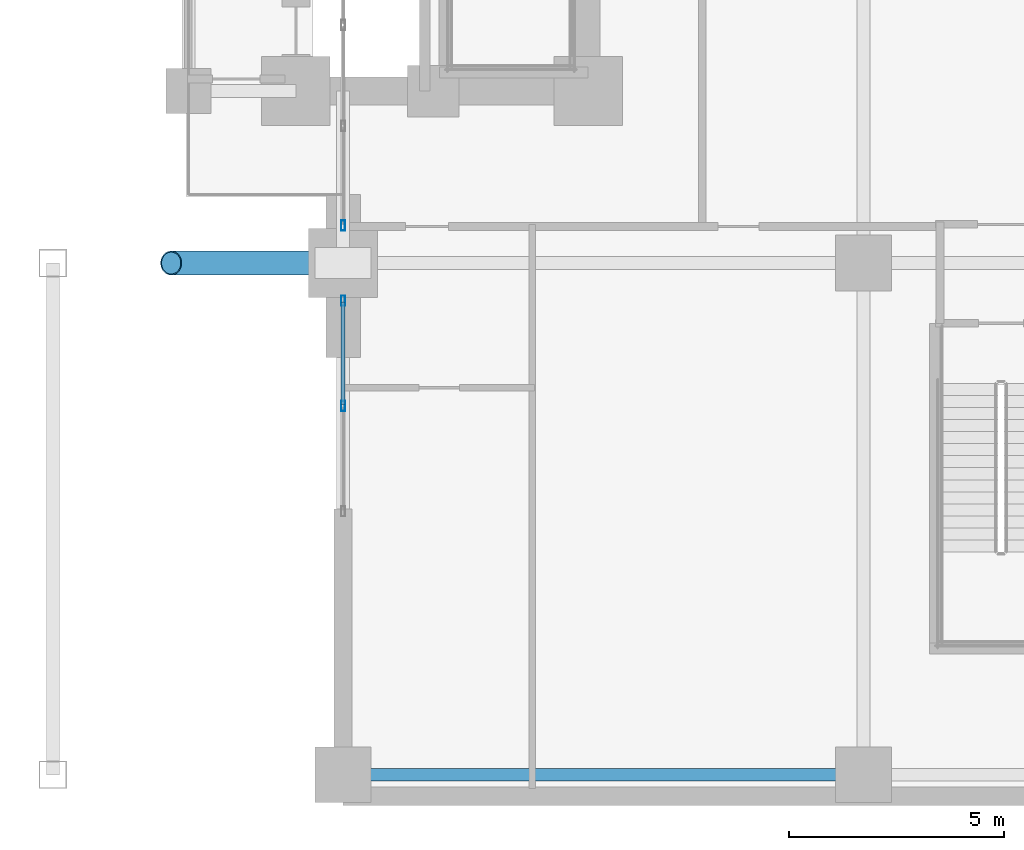
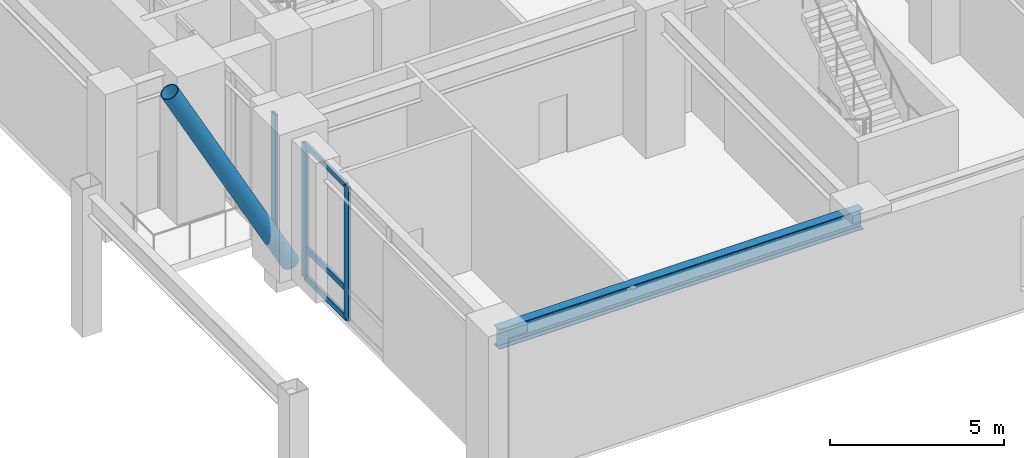
# One storey, part 7 of 27: 7 members, 1 beam, 2 elements without a shape of their own.
"""IFC4 building model written with IfcOpenShell, lengths in metres."""

from ifc_helpers import new_model, si_unit, direction, frame, origin, origin_2d, place, context, subcontext, project, spatial, hollow_rectangle, hollow_circle, i_section, extrude, material, layer, layer_set, material_profile, profile_set, type_object, element, aggregate, save


model = new_model("IFC4")

# Units and contexts
model_context = context("Model", 3, precision=1e-05, world=origin(), true_north=direction((0.0, 1.0)))
body_context = subcontext(model_context, "Body", "Model", "MODEL_VIEW")
ifc_project = project(units=[si_unit("LENGTHUNIT", "METRE"), si_unit("AREAUNIT", "SQUARE_METRE"), si_unit("VOLUMEUNIT", "CUBIC_METRE"), si_unit("PLANEANGLEUNIT", "RADIAN"), si_unit("MASSUNIT", "GRAM", prefix="KILO")], contexts=[model_context])

# Site, building, storey
site_placement = place(None, origin())
site = spatial("IfcSite", under=ifc_project, at=site_placement, CompositionType="ELEMENT")
building_placement = place(site_placement, origin())
building = spatial("IfcBuilding", under=site, at=building_placement, Name="Voryun Gate Residences", CompositionType="ELEMENT")
storey_placement = place(building_placement, frame((0.0, 0.0, 5.199951171875)))
storey = spatial("IfcBuildingStorey", under=building, at=storey_placement, Name="L01", CompositionType="ELEMENT", Elevation=5.199951171875)

# Beam
ifc_material_1 = material(Name="Steel SM355", Category="steel")
ifc_material_profile_1 = material_profile(ifc_material_1, i_section(OverallWidth=0.300048828125, OverallDepth=0.699951171875, WebThickness=0.012939453125, FlangeThickness=0.02392578125, FilletRadius=0.01806640625, at=origin_2d()), Name="H-700x300x13x24")
ifc_profile_set_1 = profile_set([ifc_material_profile_1], Name="Steel SM355")
beam_type = type_object("IfcBeamType", Name="BM_GIRD_700", PredefinedType="USERDEFINED", material=ifc_profile_set_1)
beam_placement = place(storey_placement, frame((13.5, -23.300048828125, 4.570068359375), z_axis=(1.0, 0.0, 0.0), x_axis=(0.0, 1.0, 0.0)))
element("IfcBeam", 1, at=beam_placement, inside=storey, type_object=beam_type, Name="BM-L01-PEX--23.3-0", ObjectType="GIRDER", PredefinedType="USERDEFINED", context=body_context, shape_type="SweptSolid", body=[
    extrude(i_section(OverallWidth=0.300048828125, OverallDepth=0.699951171875, WebThickness=0.012939453125, FlangeThickness=0.02392578125, FilletRadius=0.01806640625, at=origin_2d()), origin(), (0.0, 0.0, 1.0), 12.10009765625),
])

# Curtain wall, members
ifc_material_2 = material(Name="Anodised aluminium", Category="aluminium")
ifc_layer = layer(ifc_material_2, 0.239990234375, Name="CW_SYS_ARCH_DARK_GLASS")
ifc_layer_set = layer_set([ifc_layer], Name="Anodised aluminium")
curtain_wall_type = type_object("IfcCurtainWallType", Name="CW_SYS_ARCH_DARK_GLASS", PredefinedType="NOTDEFINED", material=ifc_layer_set)
curtain_wall_1_placement = place(storey_placement, origin())
curtain_wall_1 = element("IfcCurtainWall", 2, at=curtain_wall_1_placement, inside=storey, type_object=curtain_wall_type, Name="Curtain wall CW2-L01-EP-S", PredefinedType="NOTDEFINED")
ifc_material_3 = material(Name="Anodised aluminium", Category="aluminium")
ifc_material_profile_2 = material_profile(ifc_material_3, hollow_rectangle(XDim=0.090087890625, YDim=0.239990234375, WallThickness=0.006103515625, at=origin_2d()), Name="ALU-MULL-240x90x6")
ifc_profile_set_2 = profile_set([ifc_material_profile_2], Name="Anodised aluminium")
member_type_1 = type_object("IfcMemberType", Name="CW_MULL_ARCH", PredefinedType="MULLION", material=ifc_profile_set_2)
member_1_placement = place(storey_placement, frame((13.5, -14.722412109375, 0.0), z_axis=(0.0, 0.0, 1.0), x_axis=(-1.0, 0.0, 0.0)))
member_1 = element("IfcMember", 3, at=member_1_placement, type_object=member_type_1, Name="CW2 mullion 2", PredefinedType="MULLION", context=body_context, shape_type="SweptSolid", body=[
    extrude(hollow_rectangle(XDim=0.090087890625, YDim=0.239990234375, WallThickness=0.006103515625, at=origin_2d()), origin(), (0.0, 0.0, 1.0), 4.699951171875),
])
member_2_placement = place(storey_placement, frame((13.5, -12.27490234375, 0.0), z_axis=(0.0, 0.0, 1.0), x_axis=(-1.0, 0.0, 0.0)))
member_2 = element("IfcMember", 4, at=member_2_placement, type_object=member_type_1, Name="CW2 mullion 3", PredefinedType="MULLION", context=body_context, shape_type="SweptSolid", body=[
    extrude(hollow_rectangle(XDim=0.090087890625, YDim=0.239990234375, WallThickness=0.006103515625, at=origin_2d()), origin(), (0.0, 0.0, 1.0), 4.699951171875),
])

# Curtain wall, member
curtain_wall_2_placement = place(storey_placement, origin())
curtain_wall_2 = element("IfcCurtainWall", 5, at=curtain_wall_2_placement, inside=storey, type_object=curtain_wall_type, Name="Curtain wall CW2-L01-EP-M", PredefinedType="NOTDEFINED")
member_3_placement = place(storey_placement, frame((13.5, -10.52490234375, 0.0), z_axis=(0.0, 0.0, 1.0), x_axis=(-1.0, 0.0, 0.0)))
member_3 = element("IfcMember", 6, at=member_3_placement, type_object=member_type_1, Name="CW2 mullion 1", PredefinedType="MULLION", context=body_context, shape_type="SweptSolid", body=[
    extrude(hollow_rectangle(XDim=0.090087890625, YDim=0.239990234375, WallThickness=0.006103515625, at=origin_2d()), origin(), (0.0, 0.0, 1.0), 4.699951171875),
])
aggregate(curtain_wall_2, [member_3])

# Member
ifc_material_4 = material(Name="Anodised aluminium", Category="aluminium")
ifc_material_profile_3 = material_profile(ifc_material_4, hollow_rectangle(XDim=0.090087890625, YDim=0.199951171875, WallThickness=0.006103515625, at=origin_2d()), Name="ALU-TRAN-200x90x6")
ifc_profile_set_3 = profile_set([ifc_material_profile_3], Name="Anodised aluminium")
member_type_2 = type_object("IfcMemberType", Name="CW_TRAN_ARCH", PredefinedType="USERDEFINED", material=ifc_profile_set_3)
member_4_placement = place(storey_placement, frame((13.5, -14.6923828125, 0.030029296875), z_axis=(0.0, 1.0, 0.0), x_axis=(-1.0, 0.0, 0.0)))
member_4 = element("IfcMember", 7, at=member_4_placement, type_object=member_type_2, Name="CW2 transom 2.1", ObjectType="TRANSOM", PredefinedType="USERDEFINED", context=body_context, shape_type="SweptSolid", body=[
    extrude(hollow_rectangle(XDim=0.090087890625, YDim=0.199951171875, WallThickness=0.006103515625, at=origin_2d()), origin(), (0.0, 0.0, 1.0), 2.387451171875),
])

member_5_placement = place(storey_placement, frame((13.5, -14.6923828125, 1.050048828125), z_axis=(0.0, 1.0, 0.0), x_axis=(-1.0, 0.0, 0.0)))
member_5 = element("IfcMember", 8, at=member_5_placement, type_object=member_type_2, Name="CW2 transom 2.2", ObjectType="TRANSOM", PredefinedType="USERDEFINED", context=body_context, shape_type="SweptSolid", body=[
    extrude(hollow_rectangle(XDim=0.090087890625, YDim=0.199951171875, WallThickness=0.006103515625, at=origin_2d()), origin(), (0.0, 0.0, 1.0), 2.387451171875),
])

member_6_placement = place(storey_placement, frame((13.5, -14.6923828125, 4.670166015625), z_axis=(0.0, 1.0, 0.0), x_axis=(-1.0, 0.0, 0.0)))
member_6 = element("IfcMember", 9, at=member_6_placement, type_object=member_type_2, Name="CW2 transom 2.3", ObjectType="TRANSOM", PredefinedType="USERDEFINED", context=body_context, shape_type="SweptSolid", body=[
    extrude(hollow_rectangle(XDim=0.090087890625, YDim=0.199951171875, WallThickness=0.006103515625, at=origin_2d()), origin(), (0.0, 0.0, 1.0), 2.387451171875),
])

aggregate(curtain_wall_1, [member_1, member_2, member_4, member_5, member_6])

ifc_material_5 = material(Name="Steel SM420", Category="steel")
ifc_material_profile_4 = material_profile(ifc_material_5, hollow_circle(Radius=0.280029296875, WallThickness=0.02587890625, at=origin_2d()), Name="CHS-560x26")
ifc_profile_set_4 = profile_set([ifc_material_profile_4], Name="Steel SM420")
member_type_3 = type_object("IfcMemberType", Name="MBR_CANT_STRUT_B2", PredefinedType="STRUT", material=ifc_profile_set_4)
member_7_placement = place(storey_placement, frame((9.5, -11.39990234375, 7.3701171875), z_axis=(0.477007051349, 0.0, -0.878899466926), x_axis=(0.0, 1.0, 0.0)))
element("IfcMember", 10, at=member_7_placement, inside=storey, type_object=member_type_3, Name="Parabolic Tied-Arch Rib Member S Segment 8", PredefinedType="STRUT", context=body_context, shape_type="SweptSolid", body=[
    extrude(hollow_circle(Radius=0.280029296875, WallThickness=0.02587890625, at=origin_2d()), origin(), (0.0, 0.0, 1.0), 8.3857421875),
])

save(model, "model.ifc")
